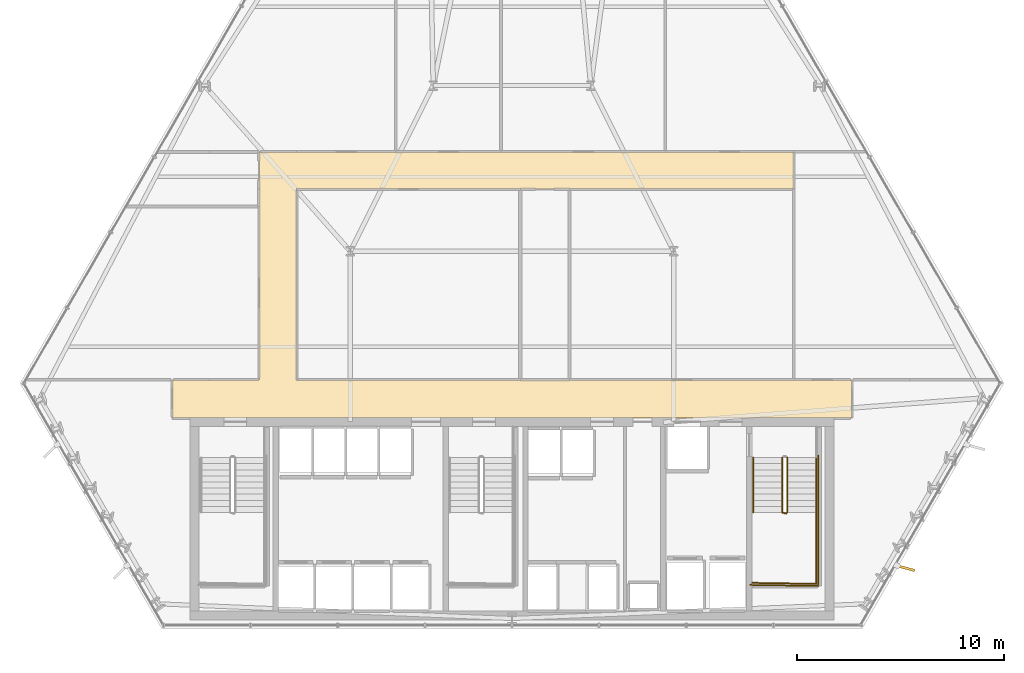
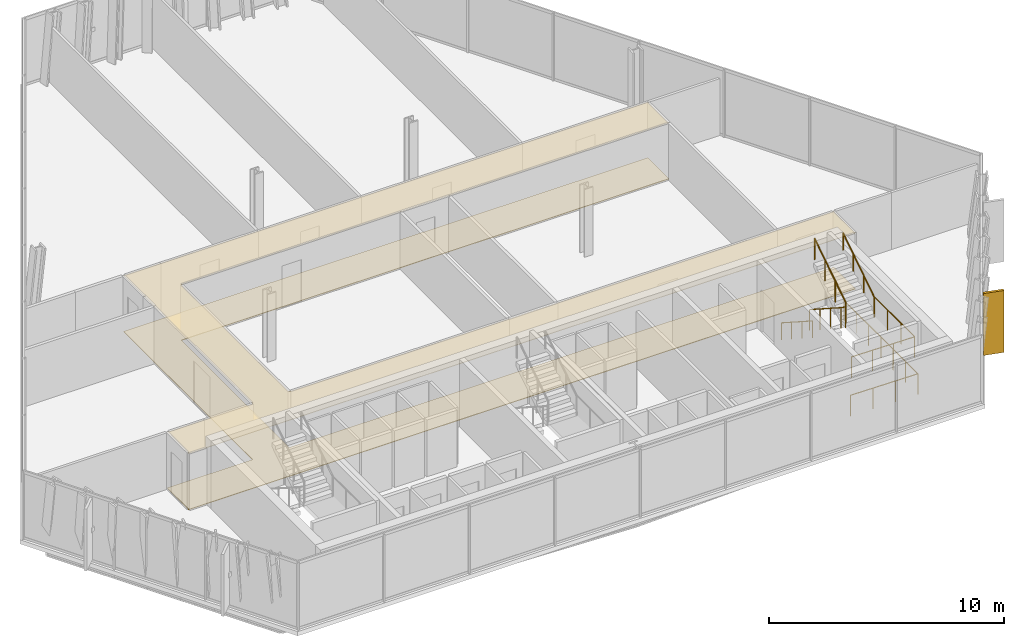
# One storey, part 29 of 31: 6 railings, 2 coverings, 1 shading device.
"""IFC4 building model written with IfcOpenShell, lengths in metres."""

from ifc_helpers import new_model, si_unit, direction, frame, origin, origin_2d, place, context, subcontext, project, spatial, polyline, rectangle, circle, outline, extrude, material, layer, layer_set, type_object, element, save


model = new_model("IFC4")

# Units and contexts
model_context = context("Model", 3, precision=1e-05, world=origin(), true_north=direction((0.0, 1.0)))
body_context = subcontext(model_context, "Body", "Model", "MODEL_VIEW")
ifc_project = project(units=[si_unit("LENGTHUNIT", "METRE"), si_unit("AREAUNIT", "SQUARE_METRE"), si_unit("VOLUMEUNIT", "CUBIC_METRE"), si_unit("PLANEANGLEUNIT", "RADIAN"), si_unit("MASSUNIT", "GRAM", prefix="KILO")], contexts=[model_context])

# Site, building, storey
site_placement = place(None, origin())
site = spatial("IfcSite", under=ifc_project, at=site_placement, CompositionType="ELEMENT")
building_placement = place(site_placement, origin())
building = spatial("IfcBuilding", under=site, at=building_placement, Name="Ndaravel Arena Tower", CompositionType="ELEMENT")
storey_placement = place(building_placement, frame((0.0, 0.0, 108.199951171875)))
storey = spatial("IfcBuildingStorey", under=building, at=storey_placement, Name="L25", CompositionType="ELEMENT", Elevation=108.199951171875)

# Coverings
ifc_material_1 = material(Name="Acoustic Ceiling Tile", Category="finish")
ifc_layer_1 = layer(ifc_material_1, 0.02490234375)
ifc_layer_set_1 = layer_set([ifc_layer_1], Name="Acoustic Ceiling Tile")
covering_type_1 = type_object("IfcCoveringType", Name="COV-CEIL-AC600", PredefinedType="CEILING", material=ifc_layer_set_1)
covering_1_placement = place(storey_placement, frame((0.0, 0.0, 2.920654296875)))
element("IfcCovering", 1, at=covering_1_placement, inside=storey, type_object=covering_type_1, Name="L25 Corridor Acoustic Ceiling", PredefinedType="CEILING", context=body_context, shape_type="SweptSolid", body=[
    extrude(outline(polyline([(58.39990234375, 17.0), (31.60009765625, 17.0), (31.60009765625, 26.199951171875), (55.60009765625, 26.199951171875), (55.60009765625, 28.0), (31.60009765625, 28.0), (29.800048828125, 28.0), (29.800048828125, 26.199951171875), (29.800048828125, 17.0), (25.60009765625, 17.0), (25.60009765625, 15.14990234375), (58.39990234375, 15.14990234375), (58.39990234375, 17.0)])), origin(), (0.0, 0.0, 1.0), 0.02490234375),
])
ifc_material_2 = material(Name="Terrazzo", Category="stone")
ifc_layer_2 = layer(ifc_material_2, 0.030029296875)
ifc_layer_set_2 = layer_set([ifc_layer_2], Name="Terrazzo")
covering_type_2 = type_object("IfcCoveringType", Name="COV-FLOOR-TERRAZZO", PredefinedType="FLOORING", material=ifc_layer_set_2)
covering_2_placement = place(storey_placement, origin())
element("IfcCovering", 2, at=covering_2_placement, inside=storey, type_object=covering_type_2, Name="L25 Corridor Terrazzo Flooring", PredefinedType="FLOORING", context=body_context, shape_type="SweptSolid", body=[
    extrude(outline(polyline([(58.39990234375, 17.0), (31.60009765625, 17.0), (31.60009765625, 26.199951171875), (55.60009765625, 26.199951171875), (55.60009765625, 28.0), (31.60009765625, 28.0), (29.800048828125, 28.0), (29.800048828125, 26.199951171875), (29.800048828125, 17.0), (25.60009765625, 17.0), (25.60009765625, 15.14990234375), (58.39990234375, 15.14990234375), (58.39990234375, 17.0)])), origin(), (0.0, 0.0, 1.0), 0.030029296875),
])

# Railings
ifc_material_3 = material(Name="Steel S355", Category="steel")
ifc_layer_3 = layer(ifc_material_3, 0.06005859375)
ifc_layer_set_3 = layer_set([ifc_layer_3], Name="Steel S355")
railing_type_1 = type_object("IfcRailingType", Name="RAIL-STAIR-GD1100", PredefinedType="GUARDRAIL", material=ifc_layer_set_3)
railing_1_placement = place(storey_placement, frame((55.050048828125, 13.25, 0.18994140625)))
element("IfcRailing", 3, at=railing_1_placement, inside=storey, type_object=railing_type_1, Name="L25 ST-3 stair guard 1", PredefinedType="GUARDRAIL", context=body_context, shape_type="SweptSolid", body=[
    extrude(circle(Radius=0.02392578125, at=origin_2d()), frame((0.0, 0.0, 1.076171875), z_axis=(0.0, -0.840688348013, 0.541519253134), x_axis=(1.0, 0.0, 0.0)), (0.0, 0.0, 1.0), 3.158203125),
    extrude(circle(Radius=0.02392578125, at=origin_2d()), frame((0.0, -2.655029296875, 2.7861328125), z_axis=(0.966993988697, -0.254799187253, 0.0), x_axis=(0.254799187253, 0.966993988697, 0.0)), (0.0, 0.0, 1.0), 0.196533203125),
    extrude(circle(Radius=0.02099609375, at=origin_2d()), origin(), (0.0, 0.0, 1.0), 1.052001953125),
    extrude(circle(Radius=0.02099609375, at=origin_2d()), frame((0.0, -0.885009765625, 0.570068359375)), (0.0, 0.0, 1.0), 1.052001953125),
    extrude(circle(Radius=0.02099609375, at=origin_2d()), frame((0.0, -1.77001953125, 1.14013671875)), (0.0, 0.0, 1.0), 1.052001953125),
    extrude(circle(Radius=0.02099609375, at=origin_2d()), frame((0.0, -2.655029296875, 1.710205078125)), (0.0, 0.0, 1.0), 1.052001953125),
    extrude(circle(Radius=0.02099609375, at=origin_2d()), frame((0.18994140625, -2.705078125, 1.710205078125)), (0.0, 0.0, 1.0), 1.052001953125),
])
railing_2_placement = place(storey_placement, frame((56.68994140625, 10.594970703125, 1.900146484375)))
element("IfcRailing", 4, at=railing_2_placement, inside=storey, type_object=railing_type_1, Name="L25 ST-3 stair guard 2", PredefinedType="GUARDRAIL", context=body_context, shape_type="SweptSolid", body=[
    extrude(circle(Radius=0.02392578125, at=origin_2d()), frame((0.0, 0.0, 1.076171875), z_axis=(0.0, -1.0, 0.0), x_axis=(1.0, 0.0, 0.0)), (0.0, 0.0, 1.0), 3.445068359375),
    extrude(circle(Radius=0.02392578125, at=origin_2d()), frame((0.0, -3.445068359375, 1.076171875), z_axis=(-0.999868840623, 0.016195726322, 0.0), x_axis=(-0.016195726322, -0.999868840623, 0.0)), (0.0, 0.0, 1.0), 3.09033203125),
    extrude(circle(Radius=0.02099609375, at=origin_2d()), origin(), (0.0, 0.0, 1.0), 1.052001953125),
    extrude(circle(Radius=0.02099609375, at=origin_2d()), frame((0.0, -1.1484375, 0.0)), (0.0, 0.0, 1.0), 1.052001953125),
    extrude(circle(Radius=0.02099609375, at=origin_2d()), frame((0.0, -2.296630859375, 0.0)), (0.0, 0.0, 1.0), 1.052001953125),
    extrude(circle(Radius=0.02099609375, at=origin_2d()), frame((0.0, -3.445068359375, 0.0)), (0.0, 0.0, 1.0), 1.052001953125),
    extrude(circle(Radius=0.02099609375, at=origin_2d()), frame((-1.030029296875, -3.428466796875, 0.0)), (0.0, 0.0, 1.0), 1.052001953125),
    extrude(circle(Radius=0.02099609375, at=origin_2d()), frame((-2.059814453125, -3.41162109375, 0.0)), (0.0, 0.0, 1.0), 1.052001953125),
    extrude(circle(Radius=0.02099609375, at=origin_2d()), frame((-3.08984375, -3.39501953125, 0.0)), (0.0, 0.0, 1.0), 1.052001953125),
])
railing_3_placement = place(storey_placement, frame((55.2900390625, 10.594970703125, 2.090087890625)))
element("IfcRailing", 5, at=railing_3_placement, inside=storey, type_object=railing_type_1, Name="L25 ST-3 stair guard 3", PredefinedType="GUARDRAIL", context=body_context, shape_type="SweptSolid", body=[
    extrude(circle(Radius=0.02392578125, at=origin_2d()), frame((0.0, 0.0, 1.076171875), z_axis=(0.0, 0.840723540582, 0.54146461409), x_axis=(-1.0, 0.0, 0.0)), (0.0, 0.0, 1.0), 3.157958984375),
    extrude(circle(Radius=0.02099609375, at=origin_2d()), origin(), (0.0, 0.0, 1.0), 1.052001953125),
    extrude(circle(Radius=0.02099609375, at=origin_2d()), frame((0.0, 0.885009765625, 0.570068359375)), (0.0, 0.0, 1.0), 1.052001953125),
    extrude(circle(Radius=0.02099609375, at=origin_2d()), frame((0.0, 1.77001953125, 1.139892578125)), (0.0, 0.0, 1.0), 1.052001953125),
    extrude(circle(Radius=0.02099609375, at=origin_2d()), frame((0.0, 2.655029296875, 1.7099609375)), (0.0, 0.0, 1.0), 1.052001953125),
])
railing_4_placement = place(storey_placement, frame((56.7900390625, 13.35009765625, 0.0)))
element("IfcRailing", 6, at=railing_4_placement, inside=storey, type_object=railing_type_1, Name="L25 ST-3 stair guard 6", PredefinedType="GUARDRAIL", context=body_context, shape_type="SweptSolid", body=[
    extrude(circle(Radius=0.02392578125, at=origin_2d()), frame((0.0, 0.0, 1.076171875), z_axis=(0.0, -1.0, 0.0), x_axis=(1.0, 0.0, 0.0)), (0.0, 0.0, 1.0), 6.300048828125),
    extrude(circle(Radius=0.02392578125, at=origin_2d()), frame((0.0, -6.300048828125, 1.076171875), z_axis=(-0.99988431412, 0.015210469308, 0.0), x_axis=(-0.015210469308, -0.99988431412, 0.0)), (0.0, 0.0, 1.0), 3.29052734375),
    extrude(circle(Radius=0.02099609375, at=origin_2d()), origin(), (0.0, 0.0, 1.0), 1.052001953125),
    extrude(circle(Radius=0.02099609375, at=origin_2d()), frame((0.0, -1.050048828125, 0.0)), (0.0, 0.0, 1.0), 1.052001953125),
    extrude(circle(Radius=0.02099609375, at=origin_2d()), frame((0.0, -2.10009765625, 0.0)), (0.0, 0.0, 1.0), 1.052001953125),
    extrude(circle(Radius=0.02099609375, at=origin_2d()), frame((0.0, -3.14990234375, 0.0)), (0.0, 0.0, 1.0), 1.052001953125),
    extrude(circle(Radius=0.02099609375, at=origin_2d()), frame((0.0, -4.199951171875, 0.0)), (0.0, 0.0, 1.0), 1.052001953125),
    extrude(circle(Radius=0.02099609375, at=origin_2d()), frame((0.0, -5.25, 0.0)), (0.0, 0.0, 1.0), 1.052001953125),
    extrude(circle(Radius=0.02099609375, at=origin_2d()), frame((0.0, -6.300048828125, 0.0)), (0.0, 0.0, 1.0), 1.052001953125),
    extrude(circle(Radius=0.02099609375, at=origin_2d()), frame((-1.0966796875, -6.283447265625, 0.0)), (0.0, 0.0, 1.0), 1.052001953125),
    extrude(circle(Radius=0.02099609375, at=origin_2d()), frame((-2.193359375, -6.2666015625, 0.0)), (0.0, 0.0, 1.0), 1.052001953125),
    extrude(circle(Radius=0.02099609375, at=origin_2d()), frame((-3.2900390625, -6.25, 0.0)), (0.0, 0.0, 1.0), 1.052001953125),
])
ifc_material_4 = material(Name="Steel S355", Category="steel")
ifc_layer_4 = layer(ifc_material_4, 0.050048828125)
ifc_layer_set_4 = layer_set([ifc_layer_4], Name="Steel S355")
railing_type_2 = type_object("IfcRailingType", Name="RAIL-STAIR-HR920", PredefinedType="HANDRAIL", material=ifc_layer_set_4)
railing_5_placement = place(storey_placement, frame((53.64990234375, 13.25, 0.18994140625)))
element("IfcRailing", 7, at=railing_5_placement, inside=storey, type_object=railing_type_2, Name="L25 ST-3 stair handrail 1", PredefinedType="HANDRAIL", context=body_context, shape_type="SweptSolid", body=[
    extrude(circle(Radius=0.02392578125, at=origin_2d()), frame((0.0, 0.0, 0.8759765625), z_axis=(0.0, -0.840688348013, 0.541519253134), x_axis=(1.0, 0.0, 0.0)), (0.0, 0.0, 1.0), 3.158203125),
    extrude(circle(Radius=0.02099609375, at=origin_2d()), origin(), (0.0, 0.0, 1.0), 0.851806640625),
    extrude(circle(Radius=0.02099609375, at=origin_2d()), frame((0.0, -0.885009765625, 0.570068359375)), (0.0, 0.0, 1.0), 0.851806640625),
    extrude(circle(Radius=0.02099609375, at=origin_2d()), frame((0.0, -1.77001953125, 1.14013671875)), (0.0, 0.0, 1.0), 0.851806640625),
    extrude(circle(Radius=0.02099609375, at=origin_2d()), frame((0.0, -2.655029296875, 1.710205078125)), (0.0, 0.0, 1.0), 0.851806640625),
])
railing_6_placement = place(storey_placement, frame((56.68994140625, 10.594970703125, 2.090087890625)))
element("IfcRailing", 8, at=railing_6_placement, inside=storey, type_object=railing_type_2, Name="L25 ST-3 stair handrail 2", PredefinedType="HANDRAIL", context=body_context, shape_type="SweptSolid", body=[
    extrude(circle(Radius=0.02392578125, at=origin_2d()), frame((0.0, 0.0, 0.8759765625), z_axis=(0.0, 0.840723540582, 0.54146461409), x_axis=(-1.0, 0.0, 0.0)), (0.0, 0.0, 1.0), 3.157958984375),
    extrude(circle(Radius=0.02099609375, at=origin_2d()), origin(), (0.0, 0.0, 1.0), 0.851806640625),
    extrude(circle(Radius=0.02099609375, at=origin_2d()), frame((0.0, 0.885009765625, 0.570068359375)), (0.0, 0.0, 1.0), 0.851806640625),
    extrude(circle(Radius=0.02099609375, at=origin_2d()), frame((0.0, 1.77001953125, 1.139892578125)), (0.0, 0.0, 1.0), 0.851806640625),
    extrude(circle(Radius=0.02099609375, at=origin_2d()), frame((0.0, 2.655029296875, 1.7099609375)), (0.0, 0.0, 1.0), 0.851806640625),
])

# Shading device
ifc_material_5 = material(Name="Masonry", Category="masonry")
shading_device_type = type_object("IfcShadingDeviceType", Name="SHD-MAZERAS-FIN", PredefinedType="SHUTTER", material=ifc_material_5)
shading_device_placement = place(storey_placement, frame((61.006591796875, 7.910888671875, 0.14990234375), z_axis=(0.0, 0.0, 1.0), x_axis=(0.965925826289, -0.258819045103, 0.0)))
element("IfcShadingDevice", 9, at=shading_device_placement, inside=storey, type_object=shading_device_type, Name="L25 Mazeras Stone Solar Fin E2.1", PredefinedType="SHUTTER", context=body_context, shape_type="SweptSolid", body=[
    extrude(rectangle(XDim=0.89990234375, YDim=0.1201171875, at=origin_2d()), origin(), (0.0, 0.0, 1.0), 3.219970703125),
])

save(model, "model.ifc")
